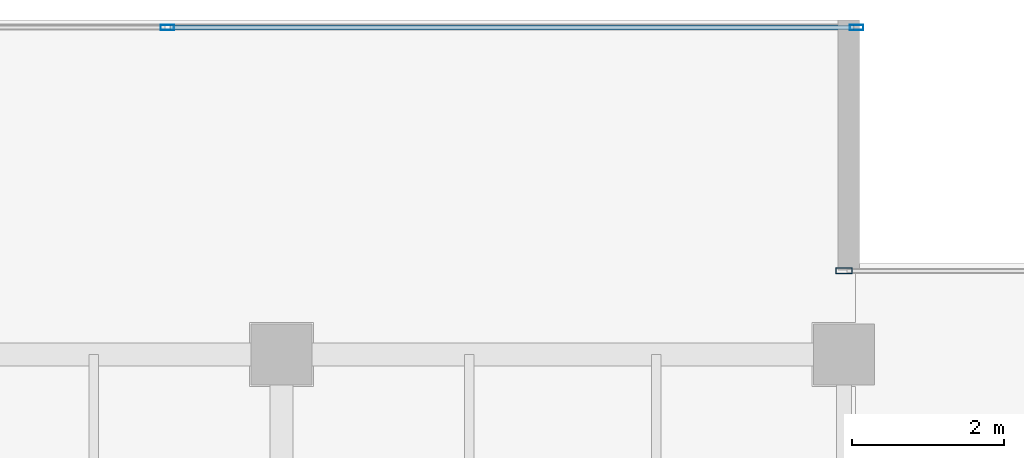
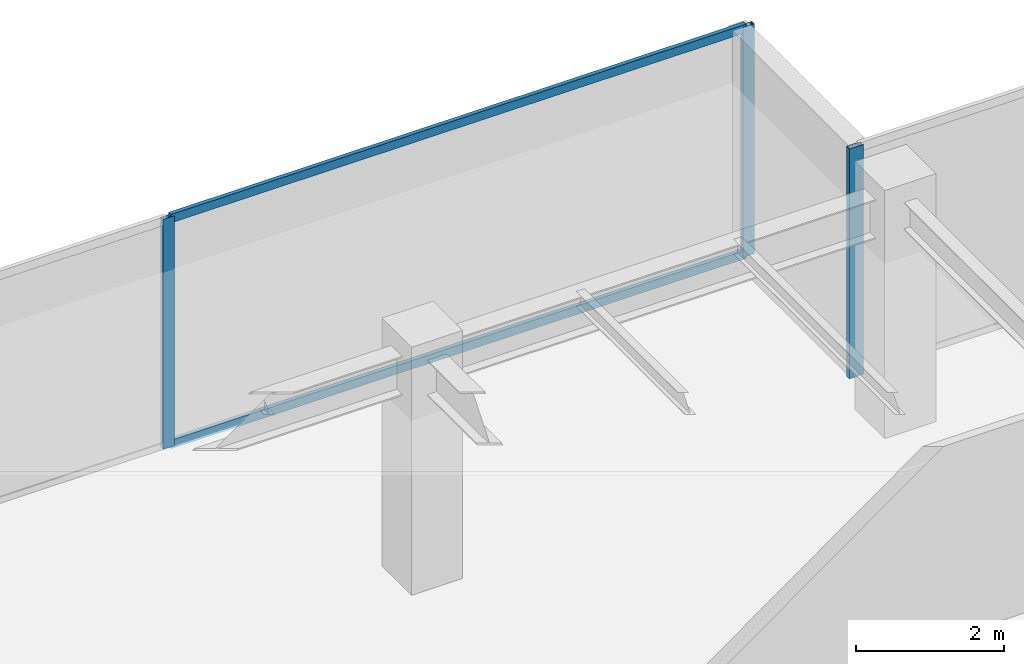
# One storey, part 21 of 36: 5 members, 2 elements without a shape of their own.
"""IFC4 building model written with IfcOpenShell, lengths in metres."""

from ifc_helpers import new_model, si_unit, direction, frame, origin, origin_2d, place, context, subcontext, project, spatial, hollow_rectangle, extrude, source, transform, mapped, material, layer, layer_set, material_profile, profile_set, type_object, type_shapes, element, aggregate, save


model = new_model("IFC4")

# Units and contexts
model_context = context("Model", 3, precision=1e-05, world=origin(), true_north=direction((0.0, 1.0)))
body_context = subcontext(model_context, "Body", "Model", "MODEL_VIEW")
ifc_project = project(units=[si_unit("LENGTHUNIT", "METRE"), si_unit("AREAUNIT", "SQUARE_METRE"), si_unit("VOLUMEUNIT", "CUBIC_METRE"), si_unit("PLANEANGLEUNIT", "RADIAN"), si_unit("MASSUNIT", "GRAM", prefix="KILO")], contexts=[model_context])

# Site, building, storey
site_placement = place(None, origin())
site = spatial("IfcSite", under=ifc_project, at=site_placement, CompositionType="ELEMENT")
building_placement = place(site_placement, origin())
building = spatial("IfcBuilding", under=site, at=building_placement, Name="Haelvirn Gate Laboratories", CompositionType="ELEMENT")
storey_placement = place(building_placement, frame((0.0, 0.0, 262.89990234375)))
storey = spatial("IfcBuildingStorey", under=building, at=storey_placement, Name="L63", CompositionType="ELEMENT", Elevation=262.89990234375)

# Curtain wall, members
ifc_material_1 = material(Name="Anodised bronze unitised aluminium & triple low-E glass", Category="aluminium")
ifc_layer_1 = layer(ifc_material_1, 0.176025390625, Name="CW-SYS-4")
ifc_layer_set_1 = layer_set([ifc_layer_1], Name="Anodised bronze unitised aluminium & triple low-E glass")
curtain_wall_type_1 = type_object("IfcCurtainWallType", Name="CW-SYS-4", PredefinedType="NOTDEFINED", material=ifc_layer_set_1)
curtain_wall_1_placement = place(storey_placement, origin())
curtain_wall_1 = element("IfcCurtainWall", 1, at=curtain_wall_1_placement, inside=storey, type_object=curtain_wall_type_1, Name="L63 Unitised Curtain Wall CW-L63-P0-E10-1", PredefinedType="NOTDEFINED")
ifc_material_2 = material(Name="Extruded aluminium 6063-T6 (anodised bronze)", Category="aluminium")
ifc_material_profile_1 = material_profile(ifc_material_2, hollow_rectangle(XDim=0.06494140625, YDim=0.139892578125, WallThickness=0.00390625, at=origin_2d()), Name="CWT-140x65x4")
ifc_profile_set_1 = profile_set([ifc_material_profile_1], Name="Extruded aluminium 6063-T6 (anodised bronze)")
member_type_1 = type_object("IfcMemberType", Name="CWT-T140", PredefinedType="USERDEFINED", material=ifc_profile_set_1)
shared_shape_1 = source(origin(), body_context, "Body", "SweptSolid", [
    extrude(hollow_rectangle(XDim=0.06494140625, YDim=0.139892578125, WallThickness=0.00390625, at=origin_2d()), origin(), (0.0, 0.0, 1.0), 8.9951171875),
])
type_shapes(member_type_1, [shared_shape_1])
member_1_placement = place(storey_placement, frame((58.534912109375, 45.89990234375, 0.03271484375), z_axis=(1.0, 0.0, 0.0), x_axis=(0.0, 1.0, 0.0)))
member_1 = element("IfcMember", 2, at=member_1_placement, type_object=member_type_1, Name="CW4 transom 2.1", ObjectType="TRANSOM", PredefinedType="USERDEFINED", context=body_context, shape_type="MappedRepresentation", body=[
    mapped(shared_shape_1, transform((0.0, 0.0, 0.0), scale=1.0)),
])
member_2_placement = place(storey_placement, frame((58.534912109375, 45.89990234375, 3.767578125), z_axis=(1.0, 0.0, 0.0), x_axis=(0.0, 1.0, 0.0)))
member_2 = element("IfcMember", 3, at=member_2_placement, type_object=member_type_1, Name="CW4 transom 2.2", ObjectType="TRANSOM", PredefinedType="USERDEFINED", context=body_context, shape_type="MappedRepresentation", body=[
    mapped(shared_shape_1, transform((0.0, 0.0, 0.0), scale=1.0)),
])
ifc_material_profile_2 = material_profile(ifc_material_2, hollow_rectangle(XDim=0.070068359375, YDim=0.179931640625, WallThickness=0.0048828125, at=origin_2d()), Name="CWM-180x70x5")
ifc_profile_set_2 = profile_set([ifc_material_profile_2], Name="Extruded aluminium 6063-T6 (anodised bronze)")
member_type_2 = type_object("IfcMemberType", Name="CWM-T180", PredefinedType="MULLION", material=ifc_profile_set_2)
shared_shape_2 = source(origin(), body_context, "Body", "SweptSolid", [
    extrude(hollow_rectangle(XDim=0.070068359375, YDim=0.179931640625, WallThickness=0.0048828125, at=origin_2d()), origin(), (0.0, 0.0, 1.0), 3.800048828125),
])
type_shapes(member_type_2, [shared_shape_2])
member_3_placement = place(storey_placement, frame((58.5, 45.89990234375, 0.0), z_axis=(0.0, 0.0, 1.0), x_axis=(0.0, 1.0, 0.0)))
member_3 = element("IfcMember", 4, at=member_3_placement, type_object=member_type_2, Name="CW4 mullion 2", PredefinedType="MULLION", context=body_context, shape_type="MappedRepresentation", body=[
    mapped(shared_shape_2, transform((0.0, 0.0, 0.0), scale=1.0)),
])
member_4_placement = place(storey_placement, frame((67.56494140625, 45.89990234375, 0.0), z_axis=(0.0, 0.0, 1.0), x_axis=(0.0, 1.0, 0.0)))
member_4 = element("IfcMember", 5, at=member_4_placement, type_object=member_type_2, Name="CW4 mullion 3", PredefinedType="MULLION", context=body_context, shape_type="MappedRepresentation", body=[
    mapped(shared_shape_2, transform((0.0, 0.0, 0.0), scale=1.0)),
])
aggregate(curtain_wall_1, [member_3, member_4, member_1, member_2])

# Curtain wall, member
ifc_layer_2 = layer(ifc_material_1, 0.181884765625, Name="CW-SYS-5")
ifc_layer_set_2 = layer_set([ifc_layer_2], Name="Anodised bronze unitised aluminium & triple low-E glass")
curtain_wall_type_2 = type_object("IfcCurtainWallType", Name="CW-SYS-5", PredefinedType="NOTDEFINED", material=ifc_layer_set_2)
curtain_wall_2_placement = place(storey_placement, origin())
curtain_wall_2 = element("IfcCurtainWall", 6, at=curtain_wall_2_placement, inside=storey, type_object=curtain_wall_type_2, Name="L63 Unitised Curtain Wall CW-L63-P0-E08-1", PredefinedType="NOTDEFINED")
ifc_material_profile_3 = material_profile(ifc_material_2, hollow_rectangle(XDim=0.080078125, YDim=0.219970703125, WallThickness=0.006103515625, at=origin_2d()), Name="CWM-220x80x6")
ifc_profile_set_3 = profile_set([ifc_material_profile_3], Name="Extruded aluminium 6063-T6 (anodised bronze)")
member_type_3 = type_object("IfcMemberType", Name="CWM-T220", PredefinedType="MULLION", material=ifc_profile_set_3)
shared_shape_3 = source(origin(), body_context, "Body", "SweptSolid", [
    extrude(hollow_rectangle(XDim=0.080078125, YDim=0.219970703125, WallThickness=0.006103515625, at=origin_2d()), origin(), (0.0, 0.0, 1.0), 3.800048828125),
])
type_shapes(member_type_3, [shared_shape_3])
member_5_placement = place(storey_placement, frame((67.39990234375, 42.699951171875, 0.0), z_axis=(0.0, 0.0, 1.0), x_axis=(0.0, 1.0, 0.0)))
member_5 = element("IfcMember", 7, at=member_5_placement, type_object=member_type_3, Name="CW5 mullion 1", PredefinedType="MULLION", context=body_context, shape_type="MappedRepresentation", body=[
    mapped(shared_shape_3, transform((0.0, 0.0, 0.0), scale=1.0)),
])
aggregate(curtain_wall_2, [member_5])

save(model, "model.ifc")
